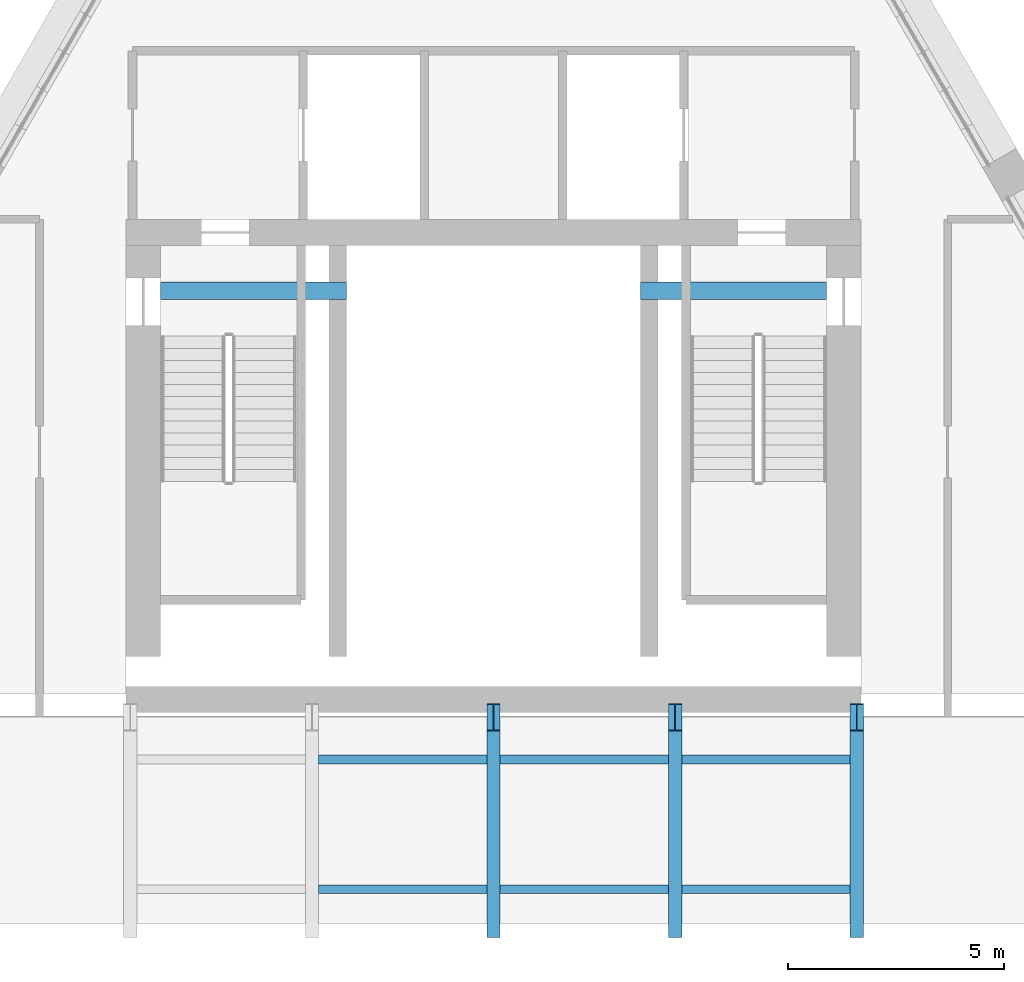
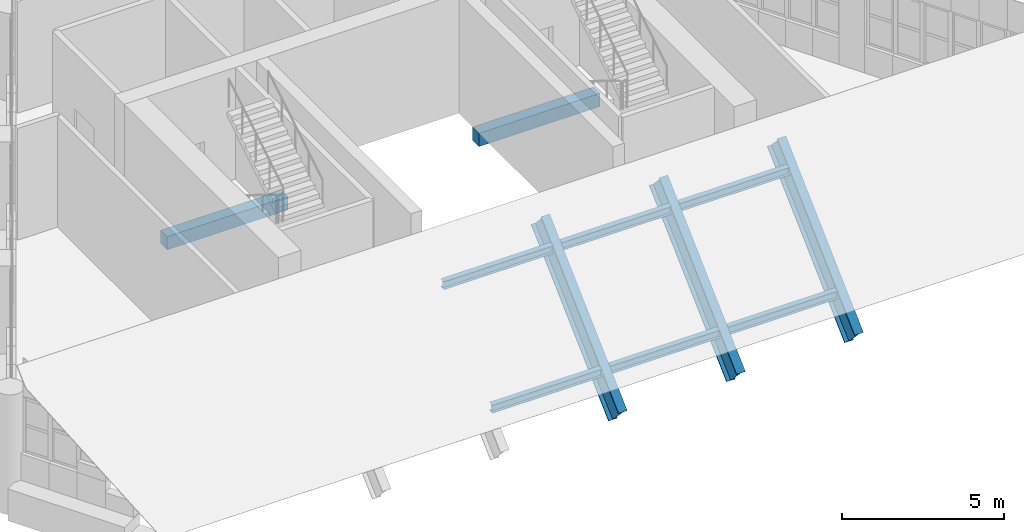
# One storey, part 5 of 20: 9 members, 2 beams.
"""IFC4 building model written with IfcOpenShell, lengths in metres."""

from ifc_helpers import new_model, si_unit, direction, frame, origin, origin_2d, place, context, subcontext, project, spatial, rectangle, i_section, extrude, material, material_profile, profile_set, type_object, element, save


model = new_model("IFC4")

# Units and contexts
model_context = context("Model", 3, precision=1e-05, world=origin(), true_north=direction((0.0, 1.0)))
body_context = subcontext(model_context, "Body", "Model", "MODEL_VIEW")
ifc_project = project(units=[si_unit("LENGTHUNIT", "METRE"), si_unit("AREAUNIT", "SQUARE_METRE"), si_unit("VOLUMEUNIT", "CUBIC_METRE"), si_unit("PLANEANGLEUNIT", "RADIAN"), si_unit("MASSUNIT", "GRAM", prefix="KILO")], contexts=[model_context])

# Site, building, storey
site_placement = place(None, origin())
site = spatial("IfcSite", under=ifc_project, at=site_placement, CompositionType="ELEMENT")
building_placement = place(site_placement, origin())
building = spatial("IfcBuilding", under=site, at=building_placement, Name="Ostrander Bayou Hotel Tower", CompositionType="ELEMENT")
storey_placement = place(building_placement, frame((0.0, 0.0, 284.0)))
storey = spatial("IfcBuildingStorey", under=building, at=storey_placement, Name="L70", CompositionType="ELEMENT", Elevation=284.0)

# Members
ifc_material_1 = material(Name="Steel ASTM A992", Category="steel")
ifc_material_profile_1 = material_profile(ifc_material_1, i_section(OverallWidth=0.203369140625, OverallDepth=0.30322265625, WebThickness=0.007568359375, FlangeThickness=0.01318359375, at=origin_2d()))
ifc_profile_set_1 = profile_set([ifc_material_profile_1], Name="Steel ASTM A992")
member_type_1 = type_object("IfcMemberType", Name="CP3 crown purlin W12x40", PredefinedType="PURLIN", material=ifc_profile_set_1)
for number, where, z_axis, x_axis, name in (
    (1, (-4.046142578125, -5.7880859375, 0.2587890625), (1.0, 0.0, 0.0), (0.0, 1.0, 0.0), "CP3 P2-15"),
    (2, (-4.046142578125, -2.7880859375, 3.084228515625), (1.0, 0.0, 0.0), (0.0, 1.0, 0.0), "CP3 P2-16"),
    (3, (0.15380859375, -5.7880859375, 0.2587890625), (1.0, 0.0, 0.0), (0.0, 1.0, 0.0), "CP3 P3-26"),
    (4, (0.15380859375, -2.7880859375, 3.084228515625), (1.0, 0.0, 0.0), (0.0, 1.0, 0.0), "CP3 P3-27"),
):
    element("IfcMember", number, at=place(storey_placement, frame(where, z_axis=z_axis, x_axis=x_axis)), inside=storey, type_object=member_type_1, Name=name, PredefinedType="PURLIN", context=body_context, shape_type="SweptSolid", body=[
        extrude(i_section(OverallWidth=0.203369140625, OverallDepth=0.30322265625, WebThickness=0.007568359375, FlangeThickness=0.01318359375, at=origin_2d()), origin(), (0.0, 0.0, 1.0), 3.892333984375),
    ])
for number, where, z_axis, x_axis, name in (
    (5, (4.35400390625, -5.7880859375, 0.2587890625), (1.0, 0.0, 0.0), (0.0, 1.0, 0.0), "CP3 P4-37"),
    (6, (4.35400390625, -2.7880859375, 3.084228515625), (1.0, 0.0, 0.0), (0.0, 1.0, 0.0), "CP3 P4-38"),
):
    element("IfcMember", number, at=place(storey_placement, frame(where, z_axis=z_axis, x_axis=x_axis)), inside=storey, type_object=member_type_1, Name=name, PredefinedType="PURLIN", context=body_context, shape_type="SweptSolid", body=[
        extrude(i_section(OverallWidth=0.203369140625, OverallDepth=0.30322265625, WebThickness=0.007568359375, FlangeThickness=0.01318359375, at=origin_2d()), origin(), (0.0, 0.0, 1.0), 3.89208984375),
    ])
ifc_material_2 = material(Name="Steel ASTM A992", Category="steel")
ifc_material_profile_2 = material_profile(ifc_material_2, i_section(OverallWidth=0.307861328125, OverallDepth=0.9267578125, WebThickness=0.01953125, FlangeThickness=0.031982421875, at=origin_2d()))
ifc_profile_set_2 = profile_set([ifc_material_profile_2], Name="Steel ASTM A992")
member_type_2 = type_object("IfcMemberType", Name="CR1 crown rafter W36x194", PredefinedType="RAFTER", material=ifc_profile_set_2)
for number, where, z_axis, x_axis, name in (
    (7, (0.0, -6.587890625, -0.979736328125), (0.0, 0.727941080121, 0.68563968954), (-1.0, 0.0, 0.0), "CR1 R3-3"),
    (8, (4.199951171875, -6.587890625, -0.979736328125), (0.0, 0.727941080121, 0.68563968954), (-1.0, 0.0, 0.0), "CR1 R4-3"),
    (9, (8.39990234375, -6.587890625, -0.979736328125), (0.0, 0.727941080121, 0.68563968954), (-1.0, 0.0, 0.0), "CR1 R5-3"),
):
    element("IfcMember", number, at=place(storey_placement, frame(where, z_axis=z_axis, x_axis=x_axis)), inside=storey, type_object=member_type_2, Name=name, PredefinedType="RAFTER", context=body_context, shape_type="SweptSolid", body=[
        extrude(i_section(OverallWidth=0.307861328125, OverallDepth=0.9267578125, WebThickness=0.01953125, FlangeThickness=0.031982421875, at=origin_2d()), origin(), (0.0, 0.0, 1.0), 6.562255859375),
    ])

# Beams
ifc_material_3 = material(Name="Concrete f'c 60 MPa", Category="concrete")
ifc_material_profile_3 = material_profile(ifc_material_3, rectangle(XDim=0.39990234375, YDim=0.5, at=origin_2d()))
ifc_profile_set_3 = profile_set([ifc_material_profile_3], Name="Concrete f'c 60 MPa")
beam_type = type_object("IfcBeamType", Name="LD1 landing support beam 400 x 500 mm f'c 60 MPa", PredefinedType="BEAM", material=ifc_profile_set_3)
for number, where, z_axis, x_axis, name in (
    (10, (-7.699951171875, 8.050048828125, -0.550048828125), (1.0, 0.0, 0.0), (0.0, 1.0, 0.0), "LD1 L70 LANDING BEAM 001"),
    (11, (7.699951171875, 8.050048828125, -0.550048828125), (-1.0, 0.0, 0.0), (0.0, -1.0, 0.0), "LD1 L70 LANDING BEAM 002"),
):
    element("IfcBeam", number, at=place(storey_placement, frame(where, z_axis=z_axis, x_axis=x_axis)), inside=storey, type_object=beam_type, Name=name, PredefinedType="BEAM", context=body_context, shape_type="SweptSolid", body=[
        extrude(rectangle(XDim=0.39990234375, YDim=0.5, at=origin_2d()), origin(), (0.0, 0.0, 1.0), 4.300048828125),
    ])

save(model, "model.ifc")
